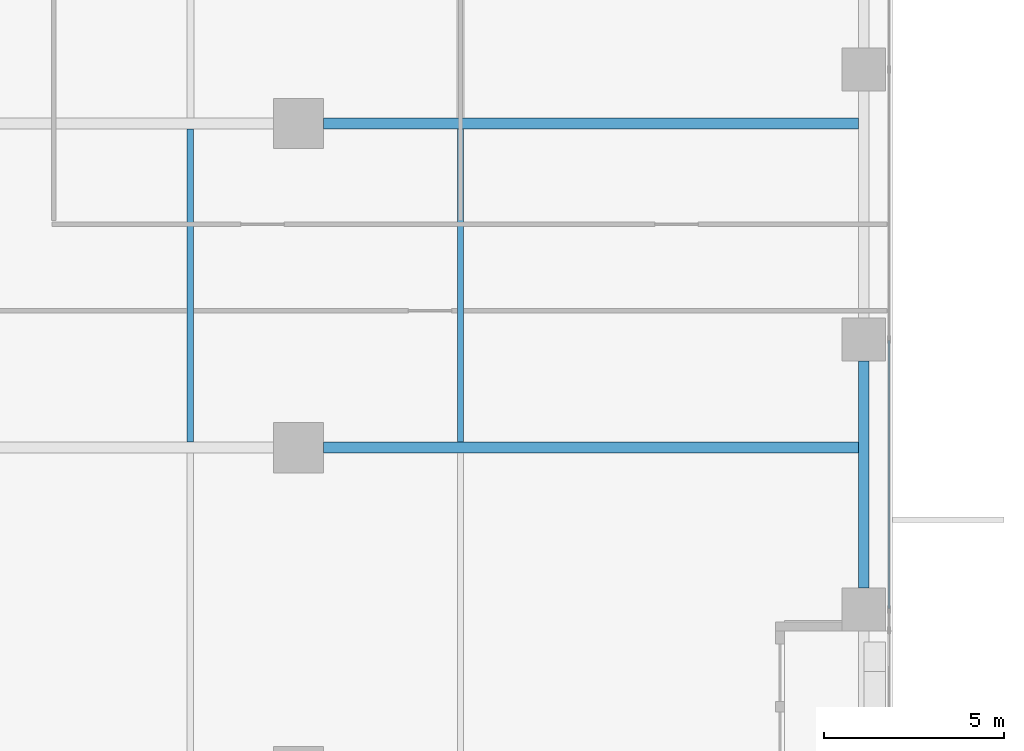
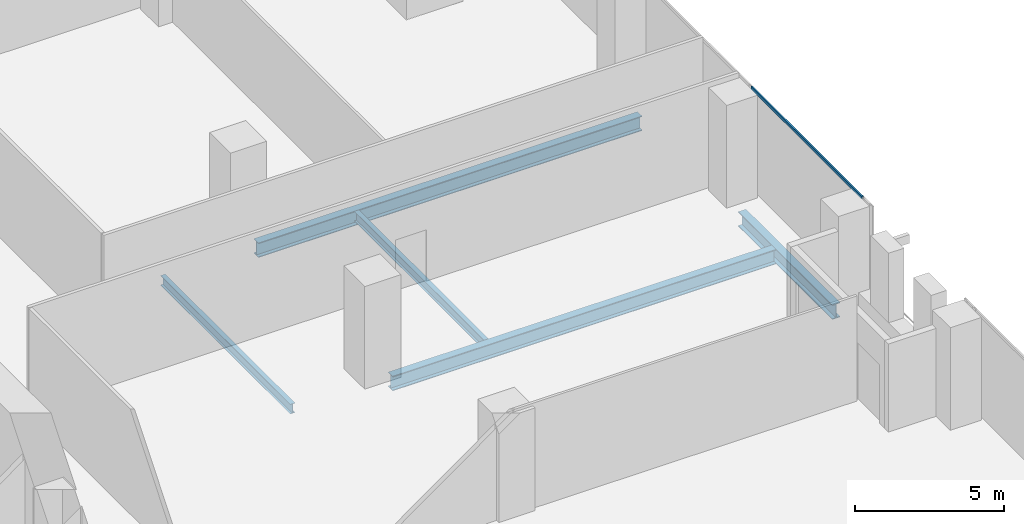
# One storey, part 16 of 33: 5 beams, 1 member, 1 element without a shape of its own.
"""IFC4 building model written with IfcOpenShell, lengths in metres."""

from ifc_helpers import new_model, si_unit, direction, frame, origin, origin_2d, place, context, subcontext, project, spatial, hollow_rectangle, i_section, extrude, source, transform, mapped, material, material_profile, profile_set, type_object, element, aggregate, save


model = new_model("IFC4")

# Units and contexts
model_context = context("Model", 3, precision=1e-05, world=origin(), true_north=direction((0.0, 1.0)))
body_context = subcontext(model_context, "Body", "Model", "MODEL_VIEW")
ifc_project = project(units=[si_unit("LENGTHUNIT", "METRE"), si_unit("AREAUNIT", "SQUARE_METRE"), si_unit("VOLUMEUNIT", "CUBIC_METRE"), si_unit("PLANEANGLEUNIT", "RADIAN"), si_unit("MASSUNIT", "GRAM", prefix="KILO")], contexts=[model_context])

# Site, building, storey
site_placement = place(None, origin())
site = spatial("IfcSite", under=ifc_project, at=site_placement, CompositionType="ELEMENT")
building_placement = place(site_placement, origin())
building = spatial("IfcBuilding", under=site, at=building_placement, Name="Khomas Fold Tower", CompositionType="ELEMENT")
storey_placement = place(building_placement, frame((0.0, 0.0, 82.5)))
storey = spatial("IfcBuildingStorey", under=building, at=storey_placement, Name="L17", CompositionType="ELEMENT", Elevation=82.5)

# Beams
ifc_material_1 = material(Name="Steel S355", Category="steel")
ifc_material_profile_1 = material_profile(ifc_material_1, i_section(OverallWidth=0.179931640625, OverallDepth=0.39990234375, WebThickness=0.008544921875, FlangeThickness=0.013427734375, at=origin_2d()), Name="IPE 400")
ifc_profile_set_1 = profile_set([ifc_material_profile_1], Name="Steel S355")
beam_type_1 = type_object("IfcBeamType", Name="IPE 400 beam JB3", PredefinedType="BEAM", material=ifc_profile_set_1)
shared_shape_1 = source(origin(), body_context, "Body", "SweptSolid", [
    extrude(i_section(OverallWidth=0.179931640625, OverallDepth=0.39990234375, WebThickness=0.008544921875, FlangeThickness=0.013427734375, at=origin_2d()), origin(), (0.0, 0.0, 1.0), 8.7001953125),
])
for number, where, z_axis, x_axis, name in (
    (1, (34.5, 31.64990234375, -0.5), (0.0, 1.0, 0.0), (-1.0, 0.0, 0.0), "JB3"),
    (2, (42.0, 31.64990234375, -0.5), (0.0, 1.0, 0.0), (-1.0, 0.0, 0.0), "JB3"),
):
    element("IfcBeam", number, at=place(storey_placement, frame(where, z_axis=z_axis, x_axis=x_axis)), inside=storey, type_object=beam_type_1, Name=name, PredefinedType="BEAM", context=body_context, shape_type="MappedRepresentation", body=[
        mapped(shared_shape_1, transform((0.0, 0.0, 0.0))),
    ])
ifc_material_2 = material(Name="Steel S355", Category="steel")
ifc_material_profile_2 = material_profile(ifc_material_2, i_section(OverallWidth=0.300048828125, OverallDepth=0.60009765625, WebThickness=0.015380859375, FlangeThickness=0.030029296875, at=origin_2d()), Name="HE 600 B")
ifc_profile_set_2 = profile_set([ifc_material_profile_2], Name="Steel S355")
beam_type_2 = type_object("IfcBeamType", Name="HE 600 B spandrel SB1", PredefinedType="SPANDREL", material=ifc_profile_set_2)
shared_shape_2 = source(origin(), body_context, "Body", "SweptSolid", [
    extrude(i_section(OverallWidth=0.300048828125, OverallDepth=0.60009765625, WebThickness=0.015380859375, FlangeThickness=0.030029296875, at=origin_2d()), origin(), (0.0, 0.0, 1.0), 6.2998046875),
])
beam_placement = place(storey_placement, frame((53.199951171875, 27.60009765625, -0.60009765625), z_axis=(0.0, 1.0, 0.0), x_axis=(-1.0, 0.0, 0.0)))
element("IfcBeam", 3, at=beam_placement, inside=storey, type_object=beam_type_2, Name="SB1", PredefinedType="SPANDREL", context=body_context, shape_type="MappedRepresentation", body=[
    mapped(shared_shape_2, transform((0.0, 0.0, 0.0))),
])
ifc_material_3 = material(Name="Steel S355", Category="steel")
ifc_material_profile_3 = material_profile(ifc_material_3, i_section(OverallWidth=0.300048828125, OverallDepth=0.60009765625, WebThickness=0.015380859375, FlangeThickness=0.030029296875, at=origin_2d()), Name="HE 600 B")
ifc_profile_set_3 = profile_set([ifc_material_profile_3], Name="Steel S355")
beam_type_3 = type_object("IfcBeamType", Name="HE 600 B beam GB5", PredefinedType="BEAM", material=ifc_profile_set_3)
shared_shape_3 = source(origin(), body_context, "Body", "SweptSolid", [
    extrude(i_section(OverallWidth=0.300048828125, OverallDepth=0.60009765625, WebThickness=0.015380859375, FlangeThickness=0.030029296875, at=origin_2d()), origin(), (0.0, 0.0, 1.0), 14.85009765625),
])
for number, where, z_axis, x_axis, name in (
    (4, (38.199951171875, 31.5, -0.60009765625), (1.0, 0.0, 0.0), (0.0, 1.0, 0.0), "GB5"),
    (5, (38.199951171875, 40.5, -0.60009765625), (1.0, 0.0, 0.0), (0.0, 1.0, 0.0), "GB5"),
):
    element("IfcBeam", number, at=place(storey_placement, frame(where, z_axis=z_axis, x_axis=x_axis)), inside=storey, type_object=beam_type_3, Name=name, PredefinedType="BEAM", context=body_context, shape_type="MappedRepresentation", body=[
        mapped(shared_shape_3, transform((0.0, 0.0, 0.0))),
    ])

# Curtain wall, member
ifc_material_4 = material(Name="Aluminium framed double glazing", Category="aluminium")
curtain_wall_type = type_object("IfcCurtainWallType", Name="SK-Unitised clear-glass wall, growing floors CW1", PredefinedType="NOTDEFINED", material=ifc_material_4)
curtain_wall_placement = place(storey_placement, origin())
curtain_wall = element("IfcCurtainWall", 6, at=curtain_wall_placement, inside=storey, type_object=curtain_wall_type, Name="CW1 run L17 03-1", PredefinedType="NOTDEFINED")
ifc_material_5 = material(Name="Aluminium", Category="aluminium")
ifc_material_profile_4 = material_profile(ifc_material_5, hollow_rectangle(XDim=0.06005859375, YDim=0.1201171875, WallThickness=0.00390625, at=origin_2d()), Name="SK-Unitised clear-glass wall, growing floors transom CW1-T")
ifc_profile_set_4 = profile_set([ifc_material_profile_4], Name="Aluminium")
member_type = type_object("IfcMemberType", Name="SK-Unitised clear-glass wall, growing floors transom CW1-T", PredefinedType="USERDEFINED", material=ifc_profile_set_4)
shared_shape_4 = source(origin(), body_context, "Body", "SweptSolid", [
    extrude(hollow_rectangle(XDim=0.06005859375, YDim=0.1201171875, WallThickness=0.00390625, at=origin_2d()), origin(), (0.0, 0.0, 1.0), 7.43994140625),
])
member_placement = place(storey_placement, frame((53.89990234375, 27.030029296875, 4.139892578125), z_axis=(0.0, 1.0, 0.0), x_axis=(-1.0, 0.0, 0.0)))
member = element("IfcMember", 7, at=member_placement, type_object=member_type, Name="CW1 transom 2", ObjectType="TRANSOM", PredefinedType="USERDEFINED", context=body_context, shape_type="MappedRepresentation", body=[
    mapped(shared_shape_4, transform((0.0, 0.0, 0.0))),
])
aggregate(curtain_wall, [member])

save(model, "model.ifc")
